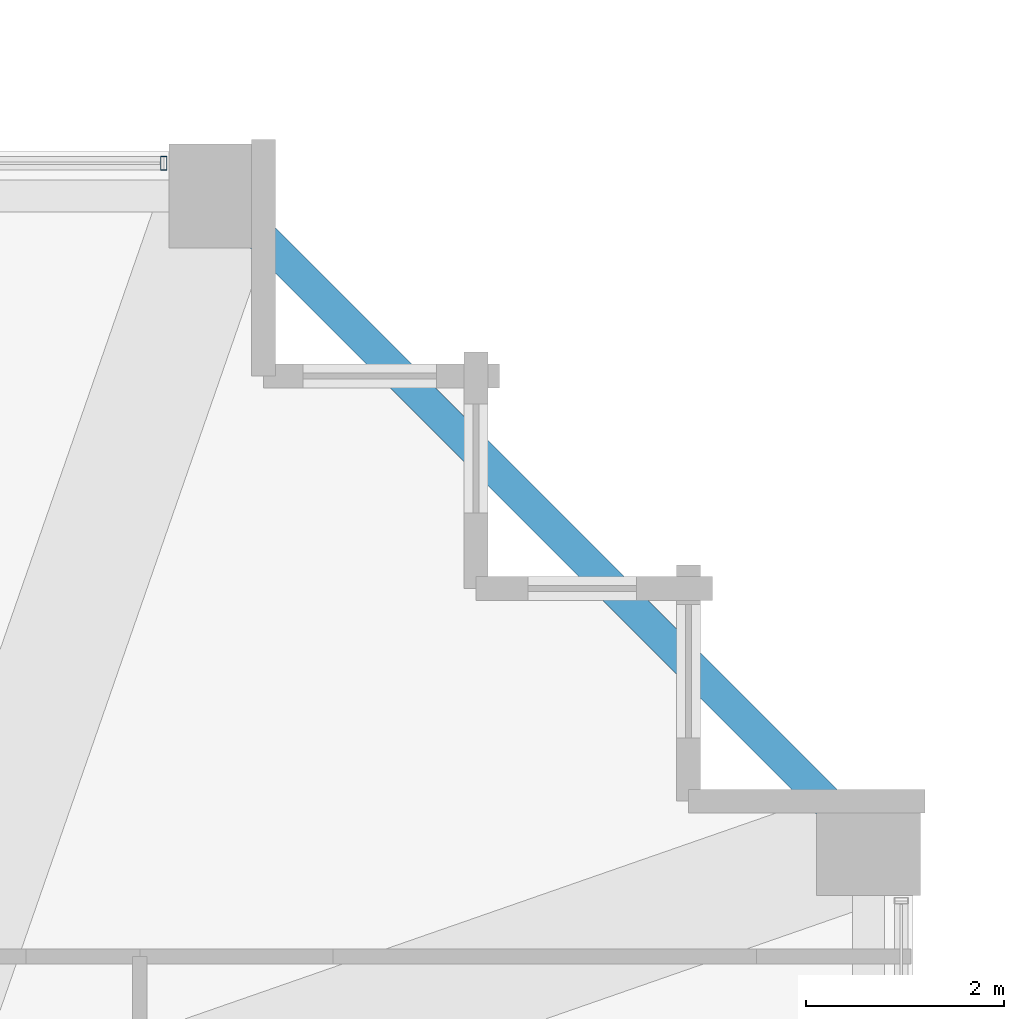
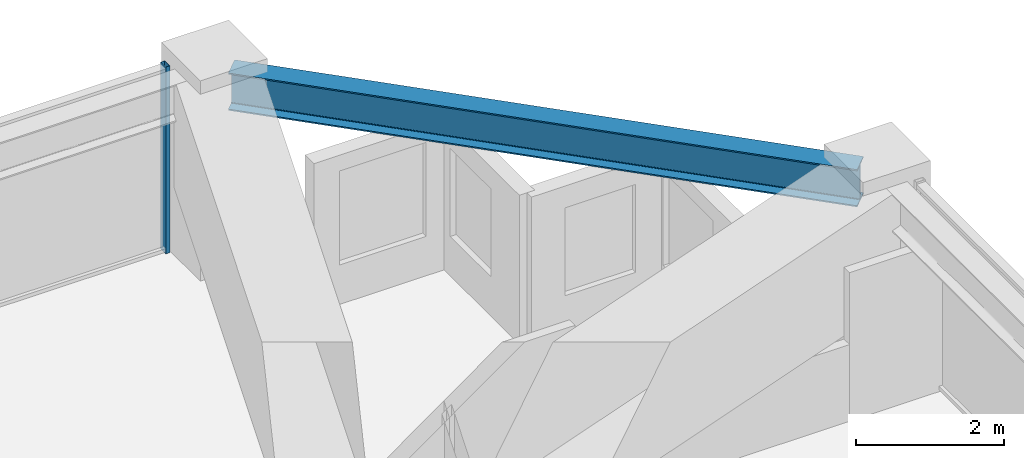
# One storey, part 27 of 39: 1 beam, 1 member, 1 element without a shape of its own.
"""IFC4 building model written with IfcOpenShell, lengths in metres."""

from ifc_helpers import new_model, si_unit, direction, frame, origin, origin_2d, place, context, subcontext, project, spatial, hollow_rectangle, i_section, extrude, material, material_profile, profile_set, type_object, element, aggregate, save


model = new_model("IFC4")

# Units and contexts
model_context = context("Model", 3, precision=1e-05, world=origin(), true_north=direction((0.0, 1.0)))
body_context = subcontext(model_context, "Body", "Model", "MODEL_VIEW")
ifc_project = project(units=[si_unit("LENGTHUNIT", "METRE"), si_unit("AREAUNIT", "SQUARE_METRE"), si_unit("VOLUMEUNIT", "CUBIC_METRE"), si_unit("PLANEANGLEUNIT", "RADIAN"), si_unit("MASSUNIT", "GRAM", prefix="KILO")], contexts=[model_context])

# Site, building, storey
site_placement = place(None, origin())
site = spatial("IfcSite", under=ifc_project, at=site_placement, CompositionType="ELEMENT")
building_placement = place(site_placement, origin())
building = spatial("IfcBuilding", under=site, at=building_placement, Name="Kolvaren Belvedere", CompositionType="ELEMENT")
storey_placement = place(building_placement, frame((0.0, 0.0, 85.39990234375)))
storey = spatial("IfcBuildingStorey", under=building, at=storey_placement, Name="L24", CompositionType="ELEMENT", Elevation=85.39990234375)

# Beam
ifc_material_1 = material(Name="Structural steel ASTM A992 Grade 50", Category="steel")
ifc_material_profile_1 = material_profile(ifc_material_1, i_section(OverallWidth=0.324951171875, OverallDepth=0.615966796875, WebThickness=0.013916015625, FlangeThickness=0.021484375, FilletRadius=0.02001953125, at=origin_2d()), Name="W24X117")
ifc_profile_set_1 = profile_set([ifc_material_profile_1], Name="Structural steel ASTM A992 Grade 50")
beam_type = type_object("IfcBeamType", Name="BM-SPAN-W24X117", PredefinedType="SPANDREL", material=ifc_profile_set_1)
beam_placement = place(storey_placement, frame((19.782958984375, 13.567138671875, 2.772216796875), z_axis=(-0.707106781187, 0.707106781187, 0.0), x_axis=(-0.707106781187, -0.707106781187, 0.0)))
element("IfcBeam", 1, at=beam_placement, inside=storey, type_object=beam_type, Name="L24 Perimeter Spandrel E4-N4", PredefinedType="SPANDREL", context=body_context, shape_type="SweptSolid", body=[
    extrude(i_section(OverallWidth=0.324951171875, OverallDepth=0.615966796875, WebThickness=0.013916015625, FlangeThickness=0.021484375, FilletRadius=0.02001953125, at=origin_2d()), origin(), (0.0, 0.0, 1.0), 8.79052734375),
])

# Curtain wall, member
ifc_material_2 = material(Name="Anodised pale-metal aluminium AA 6063-T6", Category="aluminium")
curtain_wall_type = type_object("IfcCurtainWallType", Name="CW-Z2-MID", PredefinedType="NOTDEFINED", material=ifc_material_2)
curtain_wall_placement = place(storey_placement, origin())
curtain_wall = element("IfcCurtainWall", 2, at=curtain_wall_placement, inside=storey, type_object=curtain_wall_type, Name="L24 Unitised Curtain Wall FCW-L24-N2-B2", PredefinedType="NOTDEFINED")
ifc_material_3 = material(Name="Anodised pale-metal aluminium AA 6063-T6", Category="aluminium")
ifc_material_profile_2 = material_profile(ifc_material_3, hollow_rectangle(XDim=0.06494140625, YDim=0.139892578125, WallThickness=0.00390625, at=origin_2d()), Name="ALU-MUL-140X65")
ifc_profile_set_2 = profile_set([ifc_material_profile_2], Name="Anodised pale-metal aluminium AA 6063-T6")
member_type = type_object("IfcMemberType", Name="CW-MUL-140", PredefinedType="MULLION", material=ifc_profile_set_2)
member_placement = place(storey_placement, frame((12.822509765625, 20.280029296875, 0.0), z_axis=(0.0, 0.0, 1.0), x_axis=(1.0, 0.0, 0.0)))
member = element("IfcMember", 3, at=member_placement, type_object=member_type, Name="FCW-L24-N2-B2 Unitised Mullion 3", PredefinedType="MULLION", context=body_context, shape_type="SweptSolid", body=[
    extrude(hollow_rectangle(XDim=0.06494140625, YDim=0.139892578125, WallThickness=0.00390625, at=origin_2d()), origin(), (0.0, 0.0, 1.0), 3.080078125),
])
aggregate(curtain_wall, [member])

save(model, "model.ifc")
